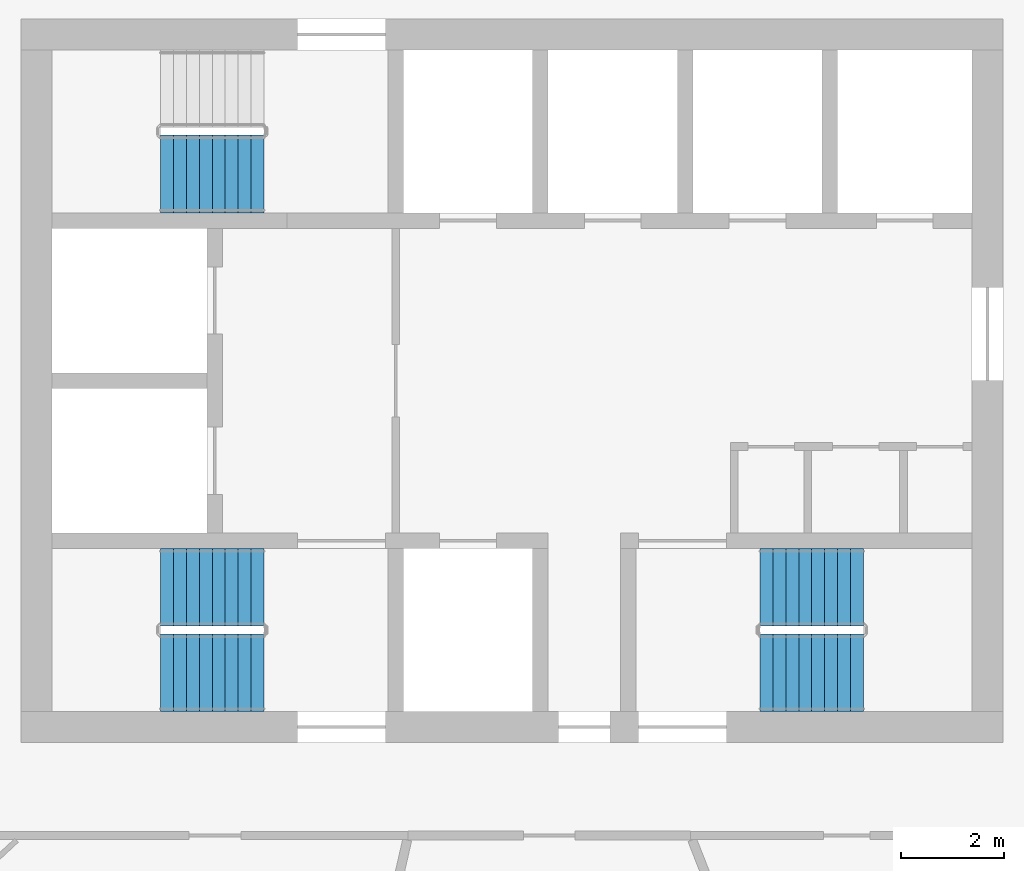
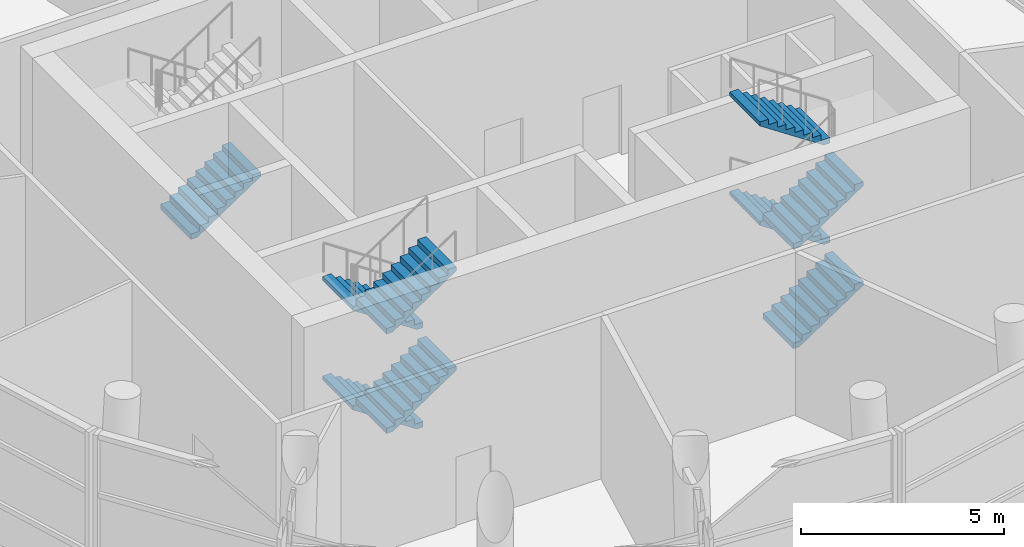
# One storey, part 7 of 10: 9 stair flights, 3 elements without a shape of their own.
"""IFC4 building model written with IfcOpenShell, lengths in metres."""

from ifc_helpers import new_model, si_unit, direction, frame, origin, place, context, subcontext, project, spatial, polyline, outline, extrude, material, type_object, element, aggregate, save


model = new_model("IFC4")

# Units and contexts
model_context = context("Model", 3, precision=1e-05, world=origin(), true_north=direction((0.0, 1.0)))
body_context = subcontext(model_context, "Body", "Model", "MODEL_VIEW")
ifc_project = project(units=[si_unit("LENGTHUNIT", "METRE"), si_unit("AREAUNIT", "SQUARE_METRE"), si_unit("VOLUMEUNIT", "CUBIC_METRE"), si_unit("PLANEANGLEUNIT", "RADIAN"), si_unit("MASSUNIT", "GRAM", prefix="KILO")], contexts=[model_context])

# Site, building, storey
site_placement = place(None, origin())
site = spatial("IfcSite", under=ifc_project, at=site_placement, CompositionType="ELEMENT")
building_placement = place(site_placement, origin())
building = spatial("IfcBuilding", under=site, at=building_placement, Name="Tracery Tower", CompositionType="ELEMENT")
storey_placement = place(building_placement, frame((0.0, 0.0, 352.199951171875)))
storey = spatial("IfcBuildingStorey", under=building, at=storey_placement, Name="L90", CompositionType="ELEMENT", Elevation=352.199951171875)

# Stair, stair flights
ifc_material_1 = material(Name="Concrete C32/40", Category="concrete")
stair_type = type_object("IfcStairType", Name="Core stair 36 risers", PredefinedType="HALF_TURN_STAIR", material=ifc_material_1)
stair_1_placement = place(storey_placement, origin())
stair_1 = element("IfcStair", 1, at=stair_1_placement, inside=storey, type_object=stair_type, Name="L90 stair ST1", PredefinedType="HALF_TURN_STAIR")
ifc_material_2 = material(Name="Concrete C32/40", Category="concrete")
stair_flight_type = type_object("IfcStairFlightType", Name="Core stair flight 9 risers", PredefinedType="STRAIGHT", material=ifc_material_2)
stair_flight_1_placement = place(storey_placement, frame((-4.800048828125, -4.0, 0.0), z_axis=(0.0, 0.0, 1.0), x_axis=(-1.0, 0.0, 0.0)))
stair_flight_1 = element("IfcStairFlight", 2, at=stair_flight_1_placement, type_object=stair_flight_type, Name="ST1 flight 1", NumberOfRisers=9, NumberOfTreads=8, PredefinedType="STRAIGHT", RiserHeight=0.166666667, TreadLength=0.25, context=body_context, shape_type="SweptSolid", body=[
    extrude(outline(polyline([(0.0, 0.0), (0.0, 0.002685546875), (0.0, 0.00537109375), (0.0, 0.00830078125), (0.0, 0.010986328125), (0.0, 0.013671875), (0.0, 0.016357421875), (0.0, 0.01904296875), (0.0, 0.02197265625), (0.0, 0.024658203125), (0.0, 0.02734375), (0.0, 0.030029296875), (0.0, 0.03271484375), (0.0, 0.035400390625), (0.0, 0.038330078125), (0.0, 0.041015625), (0.0, 0.043701171875), (0.0, 0.04638671875), (0.0, 0.049072265625), (0.0, 0.052001953125), (0.0, 0.0546875), (0.0, 0.057373046875), (0.0, 0.06005859375), (0.0, 0.062744140625), (0.0, 0.065673828125), (0.0, 0.068359375), (0.0, 0.071044921875), (0.0, 0.07373046875), (0.0, 0.076416015625), (0.0, 0.079345703125), (0.0, 0.08203125), (0.0, 0.084716796875), (0.0, 0.08740234375), (0.0, 0.090087890625), (0.0, 0.093017578125), (0.0, 0.095703125), (0.0, 0.098388671875), (0.0, 0.10107421875), (0.0, 0.103759765625), (0.0, 0.1064453125), (0.0, 0.109375), (0.0, 0.112060546875), (0.0, 0.11474609375), (0.0, 0.117431640625), (0.0, 0.1201171875), (0.0, 0.123046875), (0.0, 0.125732421875), (0.0, 0.12841796875), (0.0, 0.131103515625), (0.0, 0.1337890625), (0.0, 0.13671875), (0.0, 0.139404296875), (0.0, 0.14208984375), (0.0, 0.144775390625), (0.0, 0.1474609375), (0.0, 0.150390625), (0.0, 0.153076171875), (0.0, 0.15576171875), (0.0, 0.158447265625), (0.0, 0.1611328125), (0.0, 0.163818359375), (0.0, 0.166748046875), (0.25, 0.166748046875), (0.25, 0.333251953125), (0.5, 0.333251953125), (0.5, 0.5), (0.75, 0.5), (0.75, 0.666748046875), (1.0, 0.666748046875), (1.0, 0.833251953125), (1.25, 0.833251953125), (1.25, 1.0), (1.5, 1.0), (1.5, 1.166748046875), (1.75, 1.166748046875), (1.75, 1.333251953125), (2.0, 1.333251953125), (2.0, 1.331298828125), (2.0, 1.329345703125), (2.0, 1.327392578125), (2.0, 1.325439453125), (2.0, 1.323486328125), (2.0, 1.321533203125), (2.0, 1.319580078125), (2.0, 1.317626953125), (2.0, 1.315673828125), (2.0, 1.313720703125), (2.0, 1.3115234375), (2.0, 1.3095703125), (2.0, 1.3076171875), (2.0, 1.3056640625), (2.0, 1.3037109375), (2.0, 1.3017578125), (2.0, 1.2998046875), (2.0, 1.2978515625), (2.0, 1.2958984375), (2.0, 1.2939453125), (2.0, 1.2919921875), (2.0, 1.2900390625), (2.0, 1.2880859375), (2.0, 1.285888671875), (2.0, 1.283935546875), (2.0, 1.281982421875), (2.0, 1.280029296875), (2.0, 1.278076171875), (2.0, 1.276123046875), (2.0, 1.274169921875), (2.0, 1.272216796875), (2.0, 1.270263671875), (2.0, 1.268310546875), (2.0, 1.266357421875), (2.0, 1.264404296875), (2.0, 1.262451171875), (2.0, 1.26025390625), (2.0, 1.25830078125), (2.0, 1.25634765625), (2.0, 1.25439453125), (2.0, 1.25244140625), (2.0, 1.25048828125), (2.0, 1.24853515625), (2.0, 1.24658203125), (2.0, 1.24462890625), (2.0, 1.24267578125), (2.0, 1.24072265625), (2.0, 1.23876953125), (2.0, 1.23681640625), (2.0, 1.234619140625), (2.0, 1.232666015625), (2.0, 1.230712890625), (2.0, 1.228759765625), (2.0, 1.226806640625), (2.0, 1.224853515625), (2.0, 1.222900390625), (2.0, 1.220947265625), (2.0, 1.218994140625), (2.0, 1.217041015625), (2.0, 1.215087890625), (2.0, 1.213134765625), (0.180419921875, 0.0), (0.0, 0.0)])), frame((0.0, 0.75, 0.0), z_axis=(0.0, -1.0, 0.0), x_axis=(1.0, 0.0, 0.0)), (0.0, 0.0, 1.0), 1.5),
])
stair_flight_2_placement = place(storey_placement, frame((-6.800048828125, -5.64990234375, 1.5), z_axis=(0.0, 0.0, 1.0), x_axis=(1.0, 0.0, 0.0)))
stair_flight_2 = element("IfcStairFlight", 3, at=stair_flight_2_placement, type_object=stair_flight_type, Name="ST1 flight 2", NumberOfRisers=9, NumberOfTreads=8, PredefinedType="STRAIGHT", RiserHeight=0.166666667, TreadLength=0.25, context=body_context, shape_type="SweptSolid", body=[
    extrude(outline(polyline([(0.0, 0.0), (0.0, 0.002685546875), (0.0, 0.00537109375), (0.0, 0.00830078125), (0.0, 0.010986328125), (0.0, 0.013671875), (0.0, 0.016357421875), (0.0, 0.01904296875), (0.0, 0.02197265625), (0.0, 0.024658203125), (0.0, 0.02734375), (0.0, 0.030029296875), (0.0, 0.03271484375), (0.0, 0.035400390625), (0.0, 0.038330078125), (0.0, 0.041015625), (0.0, 0.043701171875), (0.0, 0.04638671875), (0.0, 0.049072265625), (0.0, 0.052001953125), (0.0, 0.0546875), (0.0, 0.057373046875), (0.0, 0.06005859375), (0.0, 0.062744140625), (0.0, 0.065673828125), (0.0, 0.068359375), (0.0, 0.071044921875), (0.0, 0.07373046875), (0.0, 0.076416015625), (0.0, 0.079345703125), (0.0, 0.08203125), (0.0, 0.084716796875), (0.0, 0.08740234375), (0.0, 0.090087890625), (0.0, 0.093017578125), (0.0, 0.095703125), (0.0, 0.098388671875), (0.0, 0.10107421875), (0.0, 0.103759765625), (0.0, 0.1064453125), (0.0, 0.109375), (0.0, 0.112060546875), (0.0, 0.11474609375), (0.0, 0.117431640625), (0.0, 0.1201171875), (0.0, 0.123046875), (0.0, 0.125732421875), (0.0, 0.12841796875), (0.0, 0.131103515625), (0.0, 0.1337890625), (0.0, 0.13671875), (0.0, 0.139404296875), (0.0, 0.14208984375), (0.0, 0.144775390625), (0.0, 0.1474609375), (0.0, 0.150390625), (0.0, 0.153076171875), (0.0, 0.15576171875), (0.0, 0.158447265625), (0.0, 0.1611328125), (0.0, 0.163818359375), (0.0, 0.166748046875), (0.25, 0.166748046875), (0.25, 0.333251953125), (0.5, 0.333251953125), (0.5, 0.5), (0.75, 0.5), (0.75, 0.666748046875), (1.0, 0.666748046875), (1.0, 0.833251953125), (1.25, 0.833251953125), (1.25, 1.0), (1.5, 1.0), (1.5, 1.166748046875), (1.75, 1.166748046875), (1.75, 1.333251953125), (2.0, 1.333251953125), (2.0, 1.331298828125), (2.0, 1.329345703125), (2.0, 1.327392578125), (2.0, 1.325439453125), (2.0, 1.323486328125), (2.0, 1.321533203125), (2.0, 1.319580078125), (2.0, 1.317626953125), (2.0, 1.315673828125), (2.0, 1.313720703125), (2.0, 1.3115234375), (2.0, 1.3095703125), (2.0, 1.3076171875), (2.0, 1.3056640625), (2.0, 1.3037109375), (2.0, 1.3017578125), (2.0, 1.2998046875), (2.0, 1.2978515625), (2.0, 1.2958984375), (2.0, 1.2939453125), (2.0, 1.2919921875), (2.0, 1.2900390625), (2.0, 1.2880859375), (2.0, 1.285888671875), (2.0, 1.283935546875), (2.0, 1.281982421875), (2.0, 1.280029296875), (2.0, 1.278076171875), (2.0, 1.276123046875), (2.0, 1.274169921875), (2.0, 1.272216796875), (2.0, 1.270263671875), (2.0, 1.268310546875), (2.0, 1.266357421875), (2.0, 1.264404296875), (2.0, 1.262451171875), (2.0, 1.26025390625), (2.0, 1.25830078125), (2.0, 1.25634765625), (2.0, 1.25439453125), (2.0, 1.25244140625), (2.0, 1.25048828125), (2.0, 1.24853515625), (2.0, 1.24658203125), (2.0, 1.24462890625), (2.0, 1.24267578125), (2.0, 1.24072265625), (2.0, 1.23876953125), (2.0, 1.23681640625), (2.0, 1.234619140625), (2.0, 1.232666015625), (2.0, 1.230712890625), (2.0, 1.228759765625), (2.0, 1.226806640625), (2.0, 1.224853515625), (2.0, 1.222900390625), (2.0, 1.220947265625), (2.0, 1.218994140625), (2.0, 1.217041015625), (2.0, 1.215087890625), (2.0, 1.213134765625), (0.180419921875, 0.0), (0.0, 0.0)])), frame((0.0, 0.75, 0.0), z_axis=(0.0, -1.0, 0.0), x_axis=(1.0, 0.0, 0.0)), (0.0, 0.0, 1.0), 1.5),
])
stair_flight_3_placement = place(storey_placement, frame((-4.800048828125, -4.0, 3.0), z_axis=(0.0, 0.0, 1.0), x_axis=(-1.0, 0.0, 0.0)))
stair_flight_3 = element("IfcStairFlight", 4, at=stair_flight_3_placement, type_object=stair_flight_type, Name="ST1 flight 3", NumberOfRisers=9, NumberOfTreads=8, PredefinedType="STRAIGHT", RiserHeight=0.166666667, TreadLength=0.25, context=body_context, shape_type="SweptSolid", body=[
    extrude(outline(polyline([(0.0, 0.0), (0.0, 0.002685546875), (0.0, 0.00537109375), (0.0, 0.00830078125), (0.0, 0.010986328125), (0.0, 0.013671875), (0.0, 0.016357421875), (0.0, 0.01904296875), (0.0, 0.02197265625), (0.0, 0.024658203125), (0.0, 0.02734375), (0.0, 0.030029296875), (0.0, 0.03271484375), (0.0, 0.035400390625), (0.0, 0.038330078125), (0.0, 0.041015625), (0.0, 0.043701171875), (0.0, 0.04638671875), (0.0, 0.049072265625), (0.0, 0.052001953125), (0.0, 0.0546875), (0.0, 0.057373046875), (0.0, 0.06005859375), (0.0, 0.062744140625), (0.0, 0.065673828125), (0.0, 0.068359375), (0.0, 0.071044921875), (0.0, 0.07373046875), (0.0, 0.076416015625), (0.0, 0.079345703125), (0.0, 0.08203125), (0.0, 0.084716796875), (0.0, 0.08740234375), (0.0, 0.090087890625), (0.0, 0.093017578125), (0.0, 0.095703125), (0.0, 0.098388671875), (0.0, 0.10107421875), (0.0, 0.103759765625), (0.0, 0.1064453125), (0.0, 0.109375), (0.0, 0.112060546875), (0.0, 0.11474609375), (0.0, 0.117431640625), (0.0, 0.1201171875), (0.0, 0.123046875), (0.0, 0.125732421875), (0.0, 0.12841796875), (0.0, 0.131103515625), (0.0, 0.1337890625), (0.0, 0.13671875), (0.0, 0.139404296875), (0.0, 0.14208984375), (0.0, 0.144775390625), (0.0, 0.1474609375), (0.0, 0.150390625), (0.0, 0.153076171875), (0.0, 0.15576171875), (0.0, 0.158447265625), (0.0, 0.1611328125), (0.0, 0.163818359375), (0.0, 0.166748046875), (0.25, 0.166748046875), (0.25, 0.333251953125), (0.5, 0.333251953125), (0.5, 0.5), (0.75, 0.5), (0.75, 0.666748046875), (1.0, 0.666748046875), (1.0, 0.833251953125), (1.25, 0.833251953125), (1.25, 1.0), (1.5, 1.0), (1.5, 1.166748046875), (1.75, 1.166748046875), (1.75, 1.333251953125), (2.0, 1.333251953125), (2.0, 1.331298828125), (2.0, 1.329345703125), (2.0, 1.327392578125), (2.0, 1.325439453125), (2.0, 1.323486328125), (2.0, 1.321533203125), (2.0, 1.319580078125), (2.0, 1.317626953125), (2.0, 1.315673828125), (2.0, 1.313720703125), (2.0, 1.3115234375), (2.0, 1.3095703125), (2.0, 1.3076171875), (2.0, 1.3056640625), (2.0, 1.3037109375), (2.0, 1.3017578125), (2.0, 1.2998046875), (2.0, 1.2978515625), (2.0, 1.2958984375), (2.0, 1.2939453125), (2.0, 1.2919921875), (2.0, 1.2900390625), (2.0, 1.2880859375), (2.0, 1.285888671875), (2.0, 1.283935546875), (2.0, 1.281982421875), (2.0, 1.280029296875), (2.0, 1.278076171875), (2.0, 1.276123046875), (2.0, 1.274169921875), (2.0, 1.272216796875), (2.0, 1.270263671875), (2.0, 1.268310546875), (2.0, 1.266357421875), (2.0, 1.264404296875), (2.0, 1.262451171875), (2.0, 1.26025390625), (2.0, 1.25830078125), (2.0, 1.25634765625), (2.0, 1.25439453125), (2.0, 1.25244140625), (2.0, 1.25048828125), (2.0, 1.24853515625), (2.0, 1.24658203125), (2.0, 1.24462890625), (2.0, 1.24267578125), (2.0, 1.24072265625), (2.0, 1.23876953125), (2.0, 1.23681640625), (2.0, 1.234619140625), (2.0, 1.232666015625), (2.0, 1.230712890625), (2.0, 1.228759765625), (2.0, 1.226806640625), (2.0, 1.224853515625), (2.0, 1.222900390625), (2.0, 1.220947265625), (2.0, 1.218994140625), (2.0, 1.217041015625), (2.0, 1.215087890625), (2.0, 1.213134765625), (0.180419921875, 0.0), (0.0, 0.0)])), frame((0.0, 0.75, 0.0), z_axis=(0.0, -1.0, 0.0), x_axis=(1.0, 0.0, 0.0)), (0.0, 0.0, 1.0), 1.5),
])
stair_flight_4_placement = place(storey_placement, frame((-6.800048828125, -5.64990234375, 4.5), z_axis=(0.0, 0.0, 1.0), x_axis=(1.0, 0.0, 0.0)))
stair_flight_4 = element("IfcStairFlight", 5, at=stair_flight_4_placement, type_object=stair_flight_type, Name="ST1 flight 4", NumberOfRisers=9, NumberOfTreads=8, PredefinedType="STRAIGHT", RiserHeight=0.166666667, TreadLength=0.25, context=body_context, shape_type="SweptSolid", body=[
    extrude(outline(polyline([(0.0, 0.0), (0.0, 0.002685546875), (0.0, 0.00537109375), (0.0, 0.00830078125), (0.0, 0.010986328125), (0.0, 0.013671875), (0.0, 0.016357421875), (0.0, 0.01904296875), (0.0, 0.02197265625), (0.0, 0.024658203125), (0.0, 0.02734375), (0.0, 0.030029296875), (0.0, 0.03271484375), (0.0, 0.035400390625), (0.0, 0.038330078125), (0.0, 0.041015625), (0.0, 0.043701171875), (0.0, 0.04638671875), (0.0, 0.049072265625), (0.0, 0.052001953125), (0.0, 0.0546875), (0.0, 0.057373046875), (0.0, 0.06005859375), (0.0, 0.062744140625), (0.0, 0.065673828125), (0.0, 0.068359375), (0.0, 0.071044921875), (0.0, 0.07373046875), (0.0, 0.076416015625), (0.0, 0.079345703125), (0.0, 0.08203125), (0.0, 0.084716796875), (0.0, 0.08740234375), (0.0, 0.090087890625), (0.0, 0.093017578125), (0.0, 0.095703125), (0.0, 0.098388671875), (0.0, 0.10107421875), (0.0, 0.103759765625), (0.0, 0.1064453125), (0.0, 0.109375), (0.0, 0.112060546875), (0.0, 0.11474609375), (0.0, 0.117431640625), (0.0, 0.1201171875), (0.0, 0.123046875), (0.0, 0.125732421875), (0.0, 0.12841796875), (0.0, 0.131103515625), (0.0, 0.1337890625), (0.0, 0.13671875), (0.0, 0.139404296875), (0.0, 0.14208984375), (0.0, 0.144775390625), (0.0, 0.1474609375), (0.0, 0.150390625), (0.0, 0.153076171875), (0.0, 0.15576171875), (0.0, 0.158447265625), (0.0, 0.1611328125), (0.0, 0.163818359375), (0.0, 0.166748046875), (0.25, 0.166748046875), (0.25, 0.333251953125), (0.5, 0.333251953125), (0.5, 0.5), (0.75, 0.5), (0.75, 0.666748046875), (1.0, 0.666748046875), (1.0, 0.833251953125), (1.25, 0.833251953125), (1.25, 1.0), (1.5, 1.0), (1.5, 1.166748046875), (1.75, 1.166748046875), (1.75, 1.333251953125), (2.0, 1.333251953125), (2.0, 1.331298828125), (2.0, 1.329345703125), (2.0, 1.327392578125), (2.0, 1.325439453125), (2.0, 1.323486328125), (2.0, 1.321533203125), (2.0, 1.319580078125), (2.0, 1.317626953125), (2.0, 1.315673828125), (2.0, 1.313720703125), (2.0, 1.3115234375), (2.0, 1.3095703125), (2.0, 1.3076171875), (2.0, 1.3056640625), (2.0, 1.3037109375), (2.0, 1.3017578125), (2.0, 1.2998046875), (2.0, 1.2978515625), (2.0, 1.2958984375), (2.0, 1.2939453125), (2.0, 1.2919921875), (2.0, 1.2900390625), (2.0, 1.2880859375), (2.0, 1.285888671875), (2.0, 1.283935546875), (2.0, 1.281982421875), (2.0, 1.280029296875), (2.0, 1.278076171875), (2.0, 1.276123046875), (2.0, 1.274169921875), (2.0, 1.272216796875), (2.0, 1.270263671875), (2.0, 1.268310546875), (2.0, 1.266357421875), (2.0, 1.264404296875), (2.0, 1.262451171875), (2.0, 1.26025390625), (2.0, 1.25830078125), (2.0, 1.25634765625), (2.0, 1.25439453125), (2.0, 1.25244140625), (2.0, 1.25048828125), (2.0, 1.24853515625), (2.0, 1.24658203125), (2.0, 1.24462890625), (2.0, 1.24267578125), (2.0, 1.24072265625), (2.0, 1.23876953125), (2.0, 1.23681640625), (2.0, 1.234619140625), (2.0, 1.232666015625), (2.0, 1.230712890625), (2.0, 1.228759765625), (2.0, 1.226806640625), (2.0, 1.224853515625), (2.0, 1.222900390625), (2.0, 1.220947265625), (2.0, 1.218994140625), (2.0, 1.217041015625), (2.0, 1.215087890625), (2.0, 1.213134765625), (0.180419921875, 0.0), (0.0, 0.0)])), frame((0.0, 0.75, 0.0), z_axis=(0.0, -1.0, 0.0), x_axis=(1.0, 0.0, 0.0)), (0.0, 0.0, 1.0), 1.5),
])
aggregate(stair_1, [stair_flight_1, stair_flight_2, stair_flight_3, stair_flight_4])

# Stair, stair flight
stair_2_placement = place(storey_placement, origin())
stair_2 = element("IfcStair", 6, at=stair_2_placement, inside=storey, type_object=stair_type, Name="L90 stair ST3", PredefinedType="HALF_TURN_STAIR")
stair_flight_5_placement = place(storey_placement, frame((-6.800048828125, 4.0, 1.5), z_axis=(0.0, 0.0, 1.0), x_axis=(1.0, 0.0, 0.0)))
stair_flight_5 = element("IfcStairFlight", 7, at=stair_flight_5_placement, type_object=stair_flight_type, Name="ST3 flight 2", NumberOfRisers=9, NumberOfTreads=8, PredefinedType="STRAIGHT", RiserHeight=0.166666667, TreadLength=0.25, context=body_context, shape_type="SweptSolid", body=[
    extrude(outline(polyline([(0.0, 0.0), (0.0, 0.002685546875), (0.0, 0.00537109375), (0.0, 0.00830078125), (0.0, 0.010986328125), (0.0, 0.013671875), (0.0, 0.016357421875), (0.0, 0.01904296875), (0.0, 0.02197265625), (0.0, 0.024658203125), (0.0, 0.02734375), (0.0, 0.030029296875), (0.0, 0.03271484375), (0.0, 0.035400390625), (0.0, 0.038330078125), (0.0, 0.041015625), (0.0, 0.043701171875), (0.0, 0.04638671875), (0.0, 0.049072265625), (0.0, 0.052001953125), (0.0, 0.0546875), (0.0, 0.057373046875), (0.0, 0.06005859375), (0.0, 0.062744140625), (0.0, 0.065673828125), (0.0, 0.068359375), (0.0, 0.071044921875), (0.0, 0.07373046875), (0.0, 0.076416015625), (0.0, 0.079345703125), (0.0, 0.08203125), (0.0, 0.084716796875), (0.0, 0.08740234375), (0.0, 0.090087890625), (0.0, 0.093017578125), (0.0, 0.095703125), (0.0, 0.098388671875), (0.0, 0.10107421875), (0.0, 0.103759765625), (0.0, 0.1064453125), (0.0, 0.109375), (0.0, 0.112060546875), (0.0, 0.11474609375), (0.0, 0.117431640625), (0.0, 0.1201171875), (0.0, 0.123046875), (0.0, 0.125732421875), (0.0, 0.12841796875), (0.0, 0.131103515625), (0.0, 0.1337890625), (0.0, 0.13671875), (0.0, 0.139404296875), (0.0, 0.14208984375), (0.0, 0.144775390625), (0.0, 0.1474609375), (0.0, 0.150390625), (0.0, 0.153076171875), (0.0, 0.15576171875), (0.0, 0.158447265625), (0.0, 0.1611328125), (0.0, 0.163818359375), (0.0, 0.166748046875), (0.25, 0.166748046875), (0.25, 0.333251953125), (0.5, 0.333251953125), (0.5, 0.5), (0.75, 0.5), (0.75, 0.666748046875), (1.0, 0.666748046875), (1.0, 0.833251953125), (1.25, 0.833251953125), (1.25, 1.0), (1.5, 1.0), (1.5, 1.166748046875), (1.75, 1.166748046875), (1.75, 1.333251953125), (2.0, 1.333251953125), (2.0, 1.331298828125), (2.0, 1.329345703125), (2.0, 1.327392578125), (2.0, 1.325439453125), (2.0, 1.323486328125), (2.0, 1.321533203125), (2.0, 1.319580078125), (2.0, 1.317626953125), (2.0, 1.315673828125), (2.0, 1.313720703125), (2.0, 1.3115234375), (2.0, 1.3095703125), (2.0, 1.3076171875), (2.0, 1.3056640625), (2.0, 1.3037109375), (2.0, 1.3017578125), (2.0, 1.2998046875), (2.0, 1.2978515625), (2.0, 1.2958984375), (2.0, 1.2939453125), (2.0, 1.2919921875), (2.0, 1.2900390625), (2.0, 1.2880859375), (2.0, 1.285888671875), (2.0, 1.283935546875), (2.0, 1.281982421875), (2.0, 1.280029296875), (2.0, 1.278076171875), (2.0, 1.276123046875), (2.0, 1.274169921875), (2.0, 1.272216796875), (2.0, 1.270263671875), (2.0, 1.268310546875), (2.0, 1.266357421875), (2.0, 1.264404296875), (2.0, 1.262451171875), (2.0, 1.26025390625), (2.0, 1.25830078125), (2.0, 1.25634765625), (2.0, 1.25439453125), (2.0, 1.25244140625), (2.0, 1.25048828125), (2.0, 1.24853515625), (2.0, 1.24658203125), (2.0, 1.24462890625), (2.0, 1.24267578125), (2.0, 1.24072265625), (2.0, 1.23876953125), (2.0, 1.23681640625), (2.0, 1.234619140625), (2.0, 1.232666015625), (2.0, 1.230712890625), (2.0, 1.228759765625), (2.0, 1.226806640625), (2.0, 1.224853515625), (2.0, 1.222900390625), (2.0, 1.220947265625), (2.0, 1.218994140625), (2.0, 1.217041015625), (2.0, 1.215087890625), (2.0, 1.213134765625), (0.180419921875, 0.0), (0.0, 0.0)])), frame((0.0, 0.75, 0.0), z_axis=(0.0, -1.0, 0.0), x_axis=(1.0, 0.0, 0.0)), (0.0, 0.0, 1.0), 1.5),
])
aggregate(stair_2, [stair_flight_5])

# Stair, stair flights
stair_3_placement = place(storey_placement, origin())
stair_3 = element("IfcStair", 8, at=stair_3_placement, inside=storey, type_object=stair_type, Name="L90 stair ST2", PredefinedType="HALF_TURN_STAIR")
stair_flight_6_placement = place(storey_placement, frame((4.800048828125, -5.64990234375, 0.0), z_axis=(0.0, 0.0, 1.0), x_axis=(1.0, 0.0, 0.0)))
stair_flight_6 = element("IfcStairFlight", 9, at=stair_flight_6_placement, type_object=stair_flight_type, Name="ST2 flight 1", NumberOfRisers=9, NumberOfTreads=8, PredefinedType="STRAIGHT", RiserHeight=0.166666667, TreadLength=0.25, context=body_context, shape_type="SweptSolid", body=[
    extrude(outline(polyline([(0.0, 0.0), (0.0, 0.002685546875), (0.0, 0.00537109375), (0.0, 0.00830078125), (0.0, 0.010986328125), (0.0, 0.013671875), (0.0, 0.016357421875), (0.0, 0.01904296875), (0.0, 0.02197265625), (0.0, 0.024658203125), (0.0, 0.02734375), (0.0, 0.030029296875), (0.0, 0.03271484375), (0.0, 0.035400390625), (0.0, 0.038330078125), (0.0, 0.041015625), (0.0, 0.043701171875), (0.0, 0.04638671875), (0.0, 0.049072265625), (0.0, 0.052001953125), (0.0, 0.0546875), (0.0, 0.057373046875), (0.0, 0.06005859375), (0.0, 0.062744140625), (0.0, 0.065673828125), (0.0, 0.068359375), (0.0, 0.071044921875), (0.0, 0.07373046875), (0.0, 0.076416015625), (0.0, 0.079345703125), (0.0, 0.08203125), (0.0, 0.084716796875), (0.0, 0.08740234375), (0.0, 0.090087890625), (0.0, 0.093017578125), (0.0, 0.095703125), (0.0, 0.098388671875), (0.0, 0.10107421875), (0.0, 0.103759765625), (0.0, 0.1064453125), (0.0, 0.109375), (0.0, 0.112060546875), (0.0, 0.11474609375), (0.0, 0.117431640625), (0.0, 0.1201171875), (0.0, 0.123046875), (0.0, 0.125732421875), (0.0, 0.12841796875), (0.0, 0.131103515625), (0.0, 0.1337890625), (0.0, 0.13671875), (0.0, 0.139404296875), (0.0, 0.14208984375), (0.0, 0.144775390625), (0.0, 0.1474609375), (0.0, 0.150390625), (0.0, 0.153076171875), (0.0, 0.15576171875), (0.0, 0.158447265625), (0.0, 0.1611328125), (0.0, 0.163818359375), (0.0, 0.166748046875), (0.25, 0.166748046875), (0.25, 0.333251953125), (0.5, 0.333251953125), (0.5, 0.5), (0.75, 0.5), (0.75, 0.666748046875), (1.0, 0.666748046875), (1.0, 0.833251953125), (1.25, 0.833251953125), (1.25, 1.0), (1.5, 1.0), (1.5, 1.166748046875), (1.75, 1.166748046875), (1.75, 1.333251953125), (2.0, 1.333251953125), (2.0, 1.331298828125), (2.0, 1.329345703125), (2.0, 1.327392578125), (2.0, 1.325439453125), (2.0, 1.323486328125), (2.0, 1.321533203125), (2.0, 1.319580078125), (2.0, 1.317626953125), (2.0, 1.315673828125), (2.0, 1.313720703125), (2.0, 1.3115234375), (2.0, 1.3095703125), (2.0, 1.3076171875), (2.0, 1.3056640625), (2.0, 1.3037109375), (2.0, 1.3017578125), (2.0, 1.2998046875), (2.0, 1.2978515625), (2.0, 1.2958984375), (2.0, 1.2939453125), (2.0, 1.2919921875), (2.0, 1.2900390625), (2.0, 1.2880859375), (2.0, 1.285888671875), (2.0, 1.283935546875), (2.0, 1.281982421875), (2.0, 1.280029296875), (2.0, 1.278076171875), (2.0, 1.276123046875), (2.0, 1.274169921875), (2.0, 1.272216796875), (2.0, 1.270263671875), (2.0, 1.268310546875), (2.0, 1.266357421875), (2.0, 1.264404296875), (2.0, 1.262451171875), (2.0, 1.26025390625), (2.0, 1.25830078125), (2.0, 1.25634765625), (2.0, 1.25439453125), (2.0, 1.25244140625), (2.0, 1.25048828125), (2.0, 1.24853515625), (2.0, 1.24658203125), (2.0, 1.24462890625), (2.0, 1.24267578125), (2.0, 1.24072265625), (2.0, 1.23876953125), (2.0, 1.23681640625), (2.0, 1.234619140625), (2.0, 1.232666015625), (2.0, 1.230712890625), (2.0, 1.228759765625), (2.0, 1.226806640625), (2.0, 1.224853515625), (2.0, 1.222900390625), (2.0, 1.220947265625), (2.0, 1.218994140625), (2.0, 1.217041015625), (2.0, 1.215087890625), (2.0, 1.213134765625), (0.180419921875, 0.0), (0.0, 0.0)])), frame((0.0, 0.75, 0.0), z_axis=(0.0, -1.0, 0.0), x_axis=(1.0, 0.0, 0.0)), (0.0, 0.0, 1.0), 1.5),
])
stair_flight_7_placement = place(storey_placement, frame((6.800048828125, -4.0, 1.5), z_axis=(0.0, 0.0, 1.0), x_axis=(-1.0, 0.0, 0.0)))
stair_flight_7 = element("IfcStairFlight", 10, at=stair_flight_7_placement, type_object=stair_flight_type, Name="ST2 flight 2", NumberOfRisers=9, NumberOfTreads=8, PredefinedType="STRAIGHT", RiserHeight=0.166666667, TreadLength=0.25, context=body_context, shape_type="SweptSolid", body=[
    extrude(outline(polyline([(0.0, 0.0), (0.0, 0.002685546875), (0.0, 0.00537109375), (0.0, 0.00830078125), (0.0, 0.010986328125), (0.0, 0.013671875), (0.0, 0.016357421875), (0.0, 0.01904296875), (0.0, 0.02197265625), (0.0, 0.024658203125), (0.0, 0.02734375), (0.0, 0.030029296875), (0.0, 0.03271484375), (0.0, 0.035400390625), (0.0, 0.038330078125), (0.0, 0.041015625), (0.0, 0.043701171875), (0.0, 0.04638671875), (0.0, 0.049072265625), (0.0, 0.052001953125), (0.0, 0.0546875), (0.0, 0.057373046875), (0.0, 0.06005859375), (0.0, 0.062744140625), (0.0, 0.065673828125), (0.0, 0.068359375), (0.0, 0.071044921875), (0.0, 0.07373046875), (0.0, 0.076416015625), (0.0, 0.079345703125), (0.0, 0.08203125), (0.0, 0.084716796875), (0.0, 0.08740234375), (0.0, 0.090087890625), (0.0, 0.093017578125), (0.0, 0.095703125), (0.0, 0.098388671875), (0.0, 0.10107421875), (0.0, 0.103759765625), (0.0, 0.1064453125), (0.0, 0.109375), (0.0, 0.112060546875), (0.0, 0.11474609375), (0.0, 0.117431640625), (0.0, 0.1201171875), (0.0, 0.123046875), (0.0, 0.125732421875), (0.0, 0.12841796875), (0.0, 0.131103515625), (0.0, 0.1337890625), (0.0, 0.13671875), (0.0, 0.139404296875), (0.0, 0.14208984375), (0.0, 0.144775390625), (0.0, 0.1474609375), (0.0, 0.150390625), (0.0, 0.153076171875), (0.0, 0.15576171875), (0.0, 0.158447265625), (0.0, 0.1611328125), (0.0, 0.163818359375), (0.0, 0.166748046875), (0.25, 0.166748046875), (0.25, 0.333251953125), (0.5, 0.333251953125), (0.5, 0.5), (0.75, 0.5), (0.75, 0.666748046875), (1.0, 0.666748046875), (1.0, 0.833251953125), (1.25, 0.833251953125), (1.25, 1.0), (1.5, 1.0), (1.5, 1.166748046875), (1.75, 1.166748046875), (1.75, 1.333251953125), (2.0, 1.333251953125), (2.0, 1.331298828125), (2.0, 1.329345703125), (2.0, 1.327392578125), (2.0, 1.325439453125), (2.0, 1.323486328125), (2.0, 1.321533203125), (2.0, 1.319580078125), (2.0, 1.317626953125), (2.0, 1.315673828125), (2.0, 1.313720703125), (2.0, 1.3115234375), (2.0, 1.3095703125), (2.0, 1.3076171875), (2.0, 1.3056640625), (2.0, 1.3037109375), (2.0, 1.3017578125), (2.0, 1.2998046875), (2.0, 1.2978515625), (2.0, 1.2958984375), (2.0, 1.2939453125), (2.0, 1.2919921875), (2.0, 1.2900390625), (2.0, 1.2880859375), (2.0, 1.285888671875), (2.0, 1.283935546875), (2.0, 1.281982421875), (2.0, 1.280029296875), (2.0, 1.278076171875), (2.0, 1.276123046875), (2.0, 1.274169921875), (2.0, 1.272216796875), (2.0, 1.270263671875), (2.0, 1.268310546875), (2.0, 1.266357421875), (2.0, 1.264404296875), (2.0, 1.262451171875), (2.0, 1.26025390625), (2.0, 1.25830078125), (2.0, 1.25634765625), (2.0, 1.25439453125), (2.0, 1.25244140625), (2.0, 1.25048828125), (2.0, 1.24853515625), (2.0, 1.24658203125), (2.0, 1.24462890625), (2.0, 1.24267578125), (2.0, 1.24072265625), (2.0, 1.23876953125), (2.0, 1.23681640625), (2.0, 1.234619140625), (2.0, 1.232666015625), (2.0, 1.230712890625), (2.0, 1.228759765625), (2.0, 1.226806640625), (2.0, 1.224853515625), (2.0, 1.222900390625), (2.0, 1.220947265625), (2.0, 1.218994140625), (2.0, 1.217041015625), (2.0, 1.215087890625), (2.0, 1.213134765625), (0.180419921875, 0.0), (0.0, 0.0)])), frame((0.0, 0.75, 0.0), z_axis=(0.0, -1.0, 0.0), x_axis=(1.0, 0.0, 0.0)), (0.0, 0.0, 1.0), 1.5),
])
stair_flight_8_placement = place(storey_placement, frame((4.800048828125, -5.64990234375, 3.0), z_axis=(0.0, 0.0, 1.0), x_axis=(1.0, 0.0, 0.0)))
stair_flight_8 = element("IfcStairFlight", 11, at=stair_flight_8_placement, type_object=stair_flight_type, Name="ST2 flight 3", NumberOfRisers=9, NumberOfTreads=8, PredefinedType="STRAIGHT", RiserHeight=0.166666667, TreadLength=0.25, context=body_context, shape_type="SweptSolid", body=[
    extrude(outline(polyline([(0.0, 0.0), (0.0, 0.002685546875), (0.0, 0.00537109375), (0.0, 0.00830078125), (0.0, 0.010986328125), (0.0, 0.013671875), (0.0, 0.016357421875), (0.0, 0.01904296875), (0.0, 0.02197265625), (0.0, 0.024658203125), (0.0, 0.02734375), (0.0, 0.030029296875), (0.0, 0.03271484375), (0.0, 0.035400390625), (0.0, 0.038330078125), (0.0, 0.041015625), (0.0, 0.043701171875), (0.0, 0.04638671875), (0.0, 0.049072265625), (0.0, 0.052001953125), (0.0, 0.0546875), (0.0, 0.057373046875), (0.0, 0.06005859375), (0.0, 0.062744140625), (0.0, 0.065673828125), (0.0, 0.068359375), (0.0, 0.071044921875), (0.0, 0.07373046875), (0.0, 0.076416015625), (0.0, 0.079345703125), (0.0, 0.08203125), (0.0, 0.084716796875), (0.0, 0.08740234375), (0.0, 0.090087890625), (0.0, 0.093017578125), (0.0, 0.095703125), (0.0, 0.098388671875), (0.0, 0.10107421875), (0.0, 0.103759765625), (0.0, 0.1064453125), (0.0, 0.109375), (0.0, 0.112060546875), (0.0, 0.11474609375), (0.0, 0.117431640625), (0.0, 0.1201171875), (0.0, 0.123046875), (0.0, 0.125732421875), (0.0, 0.12841796875), (0.0, 0.131103515625), (0.0, 0.1337890625), (0.0, 0.13671875), (0.0, 0.139404296875), (0.0, 0.14208984375), (0.0, 0.144775390625), (0.0, 0.1474609375), (0.0, 0.150390625), (0.0, 0.153076171875), (0.0, 0.15576171875), (0.0, 0.158447265625), (0.0, 0.1611328125), (0.0, 0.163818359375), (0.0, 0.166748046875), (0.25, 0.166748046875), (0.25, 0.333251953125), (0.5, 0.333251953125), (0.5, 0.5), (0.75, 0.5), (0.75, 0.666748046875), (1.0, 0.666748046875), (1.0, 0.833251953125), (1.25, 0.833251953125), (1.25, 1.0), (1.5, 1.0), (1.5, 1.166748046875), (1.75, 1.166748046875), (1.75, 1.333251953125), (2.0, 1.333251953125), (2.0, 1.331298828125), (2.0, 1.329345703125), (2.0, 1.327392578125), (2.0, 1.325439453125), (2.0, 1.323486328125), (2.0, 1.321533203125), (2.0, 1.319580078125), (2.0, 1.317626953125), (2.0, 1.315673828125), (2.0, 1.313720703125), (2.0, 1.3115234375), (2.0, 1.3095703125), (2.0, 1.3076171875), (2.0, 1.3056640625), (2.0, 1.3037109375), (2.0, 1.3017578125), (2.0, 1.2998046875), (2.0, 1.2978515625), (2.0, 1.2958984375), (2.0, 1.2939453125), (2.0, 1.2919921875), (2.0, 1.2900390625), (2.0, 1.2880859375), (2.0, 1.285888671875), (2.0, 1.283935546875), (2.0, 1.281982421875), (2.0, 1.280029296875), (2.0, 1.278076171875), (2.0, 1.276123046875), (2.0, 1.274169921875), (2.0, 1.272216796875), (2.0, 1.270263671875), (2.0, 1.268310546875), (2.0, 1.266357421875), (2.0, 1.264404296875), (2.0, 1.262451171875), (2.0, 1.26025390625), (2.0, 1.25830078125), (2.0, 1.25634765625), (2.0, 1.25439453125), (2.0, 1.25244140625), (2.0, 1.25048828125), (2.0, 1.24853515625), (2.0, 1.24658203125), (2.0, 1.24462890625), (2.0, 1.24267578125), (2.0, 1.24072265625), (2.0, 1.23876953125), (2.0, 1.23681640625), (2.0, 1.234619140625), (2.0, 1.232666015625), (2.0, 1.230712890625), (2.0, 1.228759765625), (2.0, 1.226806640625), (2.0, 1.224853515625), (2.0, 1.222900390625), (2.0, 1.220947265625), (2.0, 1.218994140625), (2.0, 1.217041015625), (2.0, 1.215087890625), (2.0, 1.213134765625), (0.180419921875, 0.0), (0.0, 0.0)])), frame((0.0, 0.75, 0.0), z_axis=(0.0, -1.0, 0.0), x_axis=(1.0, 0.0, 0.0)), (0.0, 0.0, 1.0), 1.5),
])
stair_flight_9_placement = place(storey_placement, frame((6.800048828125, -4.0, 4.5), z_axis=(0.0, 0.0, 1.0), x_axis=(-1.0, 0.0, 0.0)))
stair_flight_9 = element("IfcStairFlight", 12, at=stair_flight_9_placement, type_object=stair_flight_type, Name="ST2 flight 4", NumberOfRisers=9, NumberOfTreads=8, PredefinedType="STRAIGHT", RiserHeight=0.166666667, TreadLength=0.25, context=body_context, shape_type="SweptSolid", body=[
    extrude(outline(polyline([(0.0, 0.0), (0.0, 0.002685546875), (0.0, 0.00537109375), (0.0, 0.00830078125), (0.0, 0.010986328125), (0.0, 0.013671875), (0.0, 0.016357421875), (0.0, 0.01904296875), (0.0, 0.02197265625), (0.0, 0.024658203125), (0.0, 0.02734375), (0.0, 0.030029296875), (0.0, 0.03271484375), (0.0, 0.035400390625), (0.0, 0.038330078125), (0.0, 0.041015625), (0.0, 0.043701171875), (0.0, 0.04638671875), (0.0, 0.049072265625), (0.0, 0.052001953125), (0.0, 0.0546875), (0.0, 0.057373046875), (0.0, 0.06005859375), (0.0, 0.062744140625), (0.0, 0.065673828125), (0.0, 0.068359375), (0.0, 0.071044921875), (0.0, 0.07373046875), (0.0, 0.076416015625), (0.0, 0.079345703125), (0.0, 0.08203125), (0.0, 0.084716796875), (0.0, 0.08740234375), (0.0, 0.090087890625), (0.0, 0.093017578125), (0.0, 0.095703125), (0.0, 0.098388671875), (0.0, 0.10107421875), (0.0, 0.103759765625), (0.0, 0.1064453125), (0.0, 0.109375), (0.0, 0.112060546875), (0.0, 0.11474609375), (0.0, 0.117431640625), (0.0, 0.1201171875), (0.0, 0.123046875), (0.0, 0.125732421875), (0.0, 0.12841796875), (0.0, 0.131103515625), (0.0, 0.1337890625), (0.0, 0.13671875), (0.0, 0.139404296875), (0.0, 0.14208984375), (0.0, 0.144775390625), (0.0, 0.1474609375), (0.0, 0.150390625), (0.0, 0.153076171875), (0.0, 0.15576171875), (0.0, 0.158447265625), (0.0, 0.1611328125), (0.0, 0.163818359375), (0.0, 0.166748046875), (0.25, 0.166748046875), (0.25, 0.333251953125), (0.5, 0.333251953125), (0.5, 0.5), (0.75, 0.5), (0.75, 0.666748046875), (1.0, 0.666748046875), (1.0, 0.833251953125), (1.25, 0.833251953125), (1.25, 1.0), (1.5, 1.0), (1.5, 1.166748046875), (1.75, 1.166748046875), (1.75, 1.333251953125), (2.0, 1.333251953125), (2.0, 1.331298828125), (2.0, 1.329345703125), (2.0, 1.327392578125), (2.0, 1.325439453125), (2.0, 1.323486328125), (2.0, 1.321533203125), (2.0, 1.319580078125), (2.0, 1.317626953125), (2.0, 1.315673828125), (2.0, 1.313720703125), (2.0, 1.3115234375), (2.0, 1.3095703125), (2.0, 1.3076171875), (2.0, 1.3056640625), (2.0, 1.3037109375), (2.0, 1.3017578125), (2.0, 1.2998046875), (2.0, 1.2978515625), (2.0, 1.2958984375), (2.0, 1.2939453125), (2.0, 1.2919921875), (2.0, 1.2900390625), (2.0, 1.2880859375), (2.0, 1.285888671875), (2.0, 1.283935546875), (2.0, 1.281982421875), (2.0, 1.280029296875), (2.0, 1.278076171875), (2.0, 1.276123046875), (2.0, 1.274169921875), (2.0, 1.272216796875), (2.0, 1.270263671875), (2.0, 1.268310546875), (2.0, 1.266357421875), (2.0, 1.264404296875), (2.0, 1.262451171875), (2.0, 1.26025390625), (2.0, 1.25830078125), (2.0, 1.25634765625), (2.0, 1.25439453125), (2.0, 1.25244140625), (2.0, 1.25048828125), (2.0, 1.24853515625), (2.0, 1.24658203125), (2.0, 1.24462890625), (2.0, 1.24267578125), (2.0, 1.24072265625), (2.0, 1.23876953125), (2.0, 1.23681640625), (2.0, 1.234619140625), (2.0, 1.232666015625), (2.0, 1.230712890625), (2.0, 1.228759765625), (2.0, 1.226806640625), (2.0, 1.224853515625), (2.0, 1.222900390625), (2.0, 1.220947265625), (2.0, 1.218994140625), (2.0, 1.217041015625), (2.0, 1.215087890625), (2.0, 1.213134765625), (0.180419921875, 0.0), (0.0, 0.0)])), frame((0.0, 0.75, 0.0), z_axis=(0.0, -1.0, 0.0), x_axis=(1.0, 0.0, 0.0)), (0.0, 0.0, 1.0), 1.5),
])
aggregate(stair_3, [stair_flight_6, stair_flight_7, stair_flight_8, stair_flight_9])

save(model, "model.ifc")
